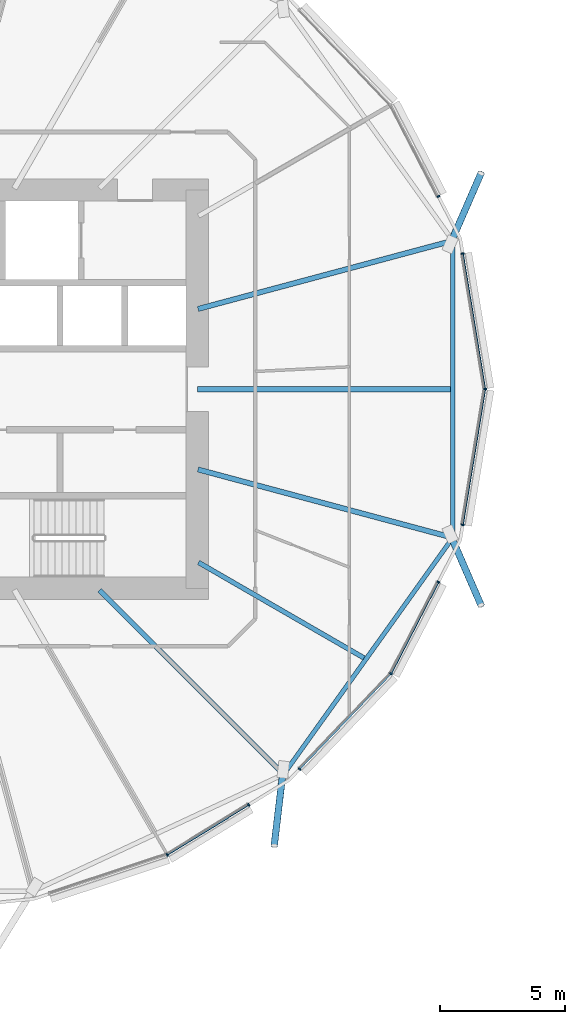
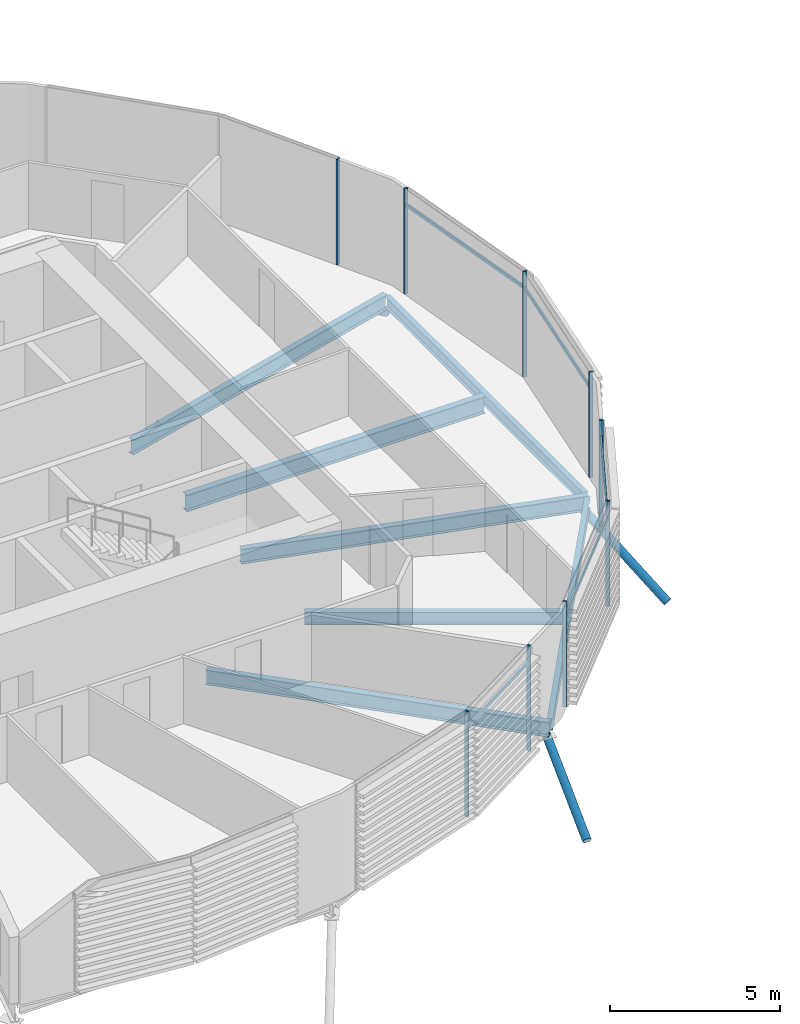
# One storey, part 7 of 38: 17 members, 7 beams, 1 element without a shape of its own.
"""IFC4 building model written with IfcOpenShell, lengths in metres."""

from ifc_helpers import new_model, si_unit, direction, frame, origin, origin_2d, place, context, subcontext, project, spatial, rectangle, hollow_circle, i_section, extrude, clip, halfspace, material, material_profile, profile_set, type_object, element, aggregate, save


model = new_model("IFC4")

# Units and contexts
model_context = context("Model", 3, precision=1e-05, world=origin(), true_north=direction((0.0, 1.0)))
body_context = subcontext(model_context, "Body", "Model", "MODEL_VIEW")
ifc_project = project(units=[si_unit("LENGTHUNIT", "METRE"), si_unit("AREAUNIT", "SQUARE_METRE"), si_unit("VOLUMEUNIT", "CUBIC_METRE"), si_unit("PLANEANGLEUNIT", "RADIAN"), si_unit("MASSUNIT", "GRAM", prefix="KILO")], contexts=[model_context])

# Site, building, storey
site_placement = place(None, origin())
site = spatial("IfcSite", under=ifc_project, at=site_placement, CompositionType="ELEMENT")
building_placement = place(site_placement, origin())
building = spatial("IfcBuilding", under=site, at=building_placement, Name="Rimbun Link Towers", CompositionType="ELEMENT")
storey_placement = place(building_placement, frame((0.0, 0.0, 71.800048828125)))
storey = spatial("IfcBuildingStorey", under=building, at=storey_placement, Name="L17", CompositionType="ELEMENT", Elevation=71.800048828125)

# Curtain wall, members
ifc_material_1 = material(Name="Aluminium 6063-T6 and low-iron glass", Category="aluminium")
curtain_wall_type = type_object("IfcCurtainWallType", Name="CW1 unitised vision wall", PredefinedType="NOTDEFINED", material=ifc_material_1)
curtain_wall_placement = place(storey_placement, origin())
curtain_wall = element("IfcCurtainWall", 1, at=curtain_wall_placement, inside=storey, type_object=curtain_wall_type, Name="CW1 L17 T1", PredefinedType="NOTDEFINED")
ifc_material_2 = material(Name="Aluminium 6063-T6", Category="aluminium")
ifc_material_profile_1 = material_profile(ifc_material_2, rectangle(XDim=0.1201171875, YDim=0.06005859375, at=origin_2d()), Name="MULLION 60X120")
ifc_profile_set_1 = profile_set([ifc_material_profile_1], Name="Aluminium 6063-T6")
member_type_1 = type_object("IfcMemberType", Name="CW1 mullion 60X120", PredefinedType="MULLION", material=ifc_profile_set_1)
member_1_placement = place(storey_placement, frame((-9.090576171875, 5.447265625, 0.0), z_axis=(0.0, 0.0, 1.0), x_axis=(0.986748097792, 0.162259642251, 0.0)))
member_1 = element("IfcMember", 2, at=member_1_placement, type_object=member_type_1, Name="CW1 mullion", PredefinedType="MULLION", context=body_context, shape_type="SweptSolid", body=[
    extrude(rectangle(XDim=0.1201171875, YDim=0.06005859375, at=origin_2d()), origin(), (0.0, 0.0, 1.0), 3.800048828125),
])
member_2_placement = place(storey_placement, frame((-8.19580078125, 0.0, 0.0), z_axis=(0.0, 0.0, 1.0), x_axis=(1.0, 0.0, 0.0)))
member_2 = element("IfcMember", 3, at=member_2_placement, type_object=member_type_1, Name="CW1 mullion", PredefinedType="MULLION", context=body_context, shape_type="SweptSolid", body=[
    extrude(rectangle(XDim=0.1201171875, YDim=0.06005859375, at=origin_2d()), origin(), (0.0, 0.0, 1.0), 3.800048828125),
])
member_3_placement = place(storey_placement, frame((-10.067138671875, 7.74462890625, 0.0), z_axis=(0.0, 0.0, 1.0), x_axis=(0.888148629228, 0.45955632125, 0.0)))
member_3 = element("IfcMember", 4, at=member_3_placement, type_object=member_type_1, Name="CW1 mullion", PredefinedType="MULLION", context=body_context, shape_type="SweptSolid", body=[
    extrude(rectangle(XDim=0.1201171875, YDim=0.06005859375, at=origin_2d()), origin(), (0.0, 0.0, 1.0), 3.800048828125),
])
member_4_placement = place(storey_placement, frame((-20.959716796875, -18.699951171875, 0.0), z_axis=(0.0, 0.0, 1.0), x_axis=(0.421698890318, -0.906735929532, 0.0)))
member_4 = element("IfcMember", 5, at=member_4_placement, type_object=member_type_1, Name="CW1 mullion", PredefinedType="MULLION", context=body_context, shape_type="SweptSolid", body=[
    extrude(rectangle(XDim=0.1201171875, YDim=0.06005859375, at=origin_2d()), origin(), (0.0, 0.0, 1.0), 3.800048828125),
])
member_5_placement = place(storey_placement, frame((-17.690185546875, -16.69287109375, 0.0), z_axis=(0.0, 0.0, 1.0), x_axis=(0.523239240316, -0.852185835011, 0.0)))
member_5 = element("IfcMember", 6, at=member_5_placement, type_object=member_type_1, Name="CW1 mullion", PredefinedType="MULLION", context=body_context, shape_type="SweptSolid", body=[
    extrude(rectangle(XDim=0.1201171875, YDim=0.06005859375, at=origin_2d()), origin(), (0.0, 0.0, 1.0), 3.800048828125),
])
member_6_placement = place(storey_placement, frame((-11.972412109375, -11.42529296875, 0.0), z_axis=(0.0, 0.0, 1.0), x_axis=(0.813351214919, -0.581772980801, 0.0)))
member_6 = element("IfcMember", 7, at=member_6_placement, type_object=member_type_1, Name="CW1 mullion", PredefinedType="MULLION", context=body_context, shape_type="SweptSolid", body=[
    extrude(rectangle(XDim=0.1201171875, YDim=0.06005859375, at=origin_2d()), origin(), (0.0, 0.0, 1.0), 3.800048828125),
])
member_7_placement = place(storey_placement, frame((-15.643798828125, -15.256103515625, 0.0), z_axis=(0.0, 0.0, 1.0), x_axis=(0.721854427226, -0.692044930546, 0.0)))
member_7 = element("IfcMember", 8, at=member_7_placement, type_object=member_type_1, Name="CW1 mullion", PredefinedType="MULLION", context=body_context, shape_type="SweptSolid", body=[
    extrude(rectangle(XDim=0.1201171875, YDim=0.06005859375, at=origin_2d()), origin(), (0.0, 0.0, 1.0), 3.800048828125),
])
member_8_placement = place(storey_placement, frame((-10.067138671875, -7.74462890625, 0.0), z_axis=(0.0, 0.0, 1.0), x_axis=(0.888148629228, -0.45955632125, 0.0)))
member_8 = element("IfcMember", 9, at=member_8_placement, type_object=member_type_1, Name="CW1 mullion", PredefinedType="MULLION", context=body_context, shape_type="SweptSolid", body=[
    extrude(rectangle(XDim=0.1201171875, YDim=0.06005859375, at=origin_2d()), origin(), (0.0, 0.0, 1.0), 3.800048828125),
])
member_9_placement = place(storey_placement, frame((-9.090576171875, -5.447265625, 0.0), z_axis=(0.0, 0.0, 1.0), x_axis=(0.986748097792, -0.162259642251, 0.0)))
member_9 = element("IfcMember", 10, at=member_9_placement, type_object=member_type_1, Name="CW1 mullion", PredefinedType="MULLION", context=body_context, shape_type="SweptSolid", body=[
    extrude(rectangle(XDim=0.1201171875, YDim=0.06005859375, at=origin_2d()), origin(), (0.0, 0.0, 1.0), 3.800048828125),
])
ifc_material_3 = material(Name="Aluminium 6063-T6", Category="aluminium")
ifc_material_profile_2 = material_profile(ifc_material_3, rectangle(XDim=0.06005859375, YDim=0.1201171875, at=origin_2d()), Name="TRANSOM 60X120")
ifc_profile_set_2 = profile_set([ifc_material_profile_2], Name="Aluminium 6063-T6")
member_type_2 = type_object("IfcMemberType", Name="CW1 transom 60X120", PredefinedType="USERDEFINED", material=ifc_profile_set_2)
member_10_placement = place(storey_placement, frame((-9.087646484375, 5.41748046875, 3.199951171875), z_axis=(0.162234082271, -0.986752300504, 0.0), x_axis=(0.986752300504, 0.162234082271, 0.0)))
member_10 = element("IfcMember", 11, at=member_10_placement, type_object=member_type_2, Name="CW1 transom", ObjectType="TRANSOM", PredefinedType="USERDEFINED", context=body_context, shape_type="SweptSolid", body=[
    extrude(rectangle(XDim=0.06005859375, YDim=0.1201171875, at=origin_2d()), origin(), (0.0, 0.0, 1.0), 5.45068359375),
])
member_11_placement = place(storey_placement, frame((-17.716796875, -16.706787109375, 3.199951171875), z_axis=(-0.852184905229, -0.523240754624, 0.0), x_axis=(0.523240754624, -0.852184905229, 0.0)))
member_11 = element("IfcMember", 12, at=member_11_placement, type_object=member_type_2, Name="CW1 transom", ObjectType="TRANSOM", PredefinedType="USERDEFINED", context=body_context, shape_type="SweptSolid", body=[
    extrude(rectangle(XDim=0.06005859375, YDim=0.1201171875, at=origin_2d()), origin(), (0.0, 0.0, 1.0), 3.76953125),
])
member_12_placement = place(storey_placement, frame((-12.0, -11.452392578125, 3.199951171875), z_axis=(-0.692056205714, -0.721843617505, 0.0), x_axis=(0.721843617505, -0.692056205714, 0.0)))
member_12 = element("IfcMember", 13, at=member_12_placement, type_object=member_type_2, Name="CW1 transom", ObjectType="TRANSOM", PredefinedType="USERDEFINED", context=body_context, shape_type="SweptSolid", body=[
    extrude(rectangle(XDim=0.06005859375, YDim=0.1201171875, at=origin_2d()), origin(), (0.0, 0.0, 1.0), 5.2373046875),
])
member_13_placement = place(storey_placement, frame((-10.08251953125, -7.770263671875, 3.199951171875), z_axis=(-0.45955652042, -0.888148526171, 0.0), x_axis=(0.888148526171, -0.45955652042, 0.0)))
member_13 = element("IfcMember", 14, at=member_13_placement, type_object=member_type_2, Name="CW1 transom", ObjectType="TRANSOM", PredefinedType="USERDEFINED", context=body_context, shape_type="SweptSolid", body=[
    extrude(rectangle(XDim=0.06005859375, YDim=0.1201171875, at=origin_2d()), origin(), (0.0, 0.0, 1.0), 4.076416015625),
])
member_14_placement = place(storey_placement, frame((-8.203369140625, -0.0390625, 3.199951171875), z_axis=(-0.162234082271, -0.986752300504, 0.0), x_axis=(0.986752300504, -0.162234082271, 0.0)))
member_14 = element("IfcMember", 15, at=member_14_placement, type_object=member_type_2, Name="CW1 transom", ObjectType="TRANSOM", PredefinedType="USERDEFINED", context=body_context, shape_type="SweptSolid", body=[
    extrude(rectangle(XDim=0.06005859375, YDim=0.1201171875, at=origin_2d()), origin(), (0.0, 0.0, 1.0), 5.45068359375),
])
aggregate(curtain_wall, [member_1, member_2, member_3, member_4, member_5, member_6, member_7, member_8, member_9, member_10, member_11, member_12, member_13, member_14])

# Members
ifc_material_4 = material(Name="Steel S355J2H", Category="steel")
ifc_material_profile_3 = material_profile(ifc_material_4, hollow_circle(Radius=0.136474609375, WallThickness=0.012451171875, at=origin_2d()), Name="CHS 273x12.5")
ifc_profile_set_3 = profile_set([ifc_material_profile_3], Name="Steel S355J2H")
member_type_3 = type_object("IfcMemberType", Name="Floor edge link CHS 273x12.5", PredefinedType="BRACE", material=ifc_profile_set_3)
member_15_placement = place(storey_placement, frame((-9.542724609375, 5.950439453125, -0.80712890625), z_axis=(0.332755123406, 0.764311870722, -0.552359839345), x_axis=(-0.916874478049, 0.399175639916, 0.0)))
element("IfcMember", 16, at=member_15_placement, inside=storey, type_object=member_type_3, Name="Floor edge link T1 L17 01", PredefinedType="BRACE", context=body_context, shape_type="Clipping", body=[
    clip(extrude(hollow_circle(Radius=0.136474609375, WallThickness=0.012451171875, at=origin_2d()), frame((0.0, 0.0, -0.43017578125)), (0.0, 0.0, 1.0), 4.003173828125), halfspace(frame((0.0, 0.0, -0.20263671875), z_axis=(0.0, 0.833605786855, -0.552359839345)), False)),
])
member_16_placement = place(storey_placement, frame((-16.319580078125, -15.430419921875, -0.809814453125), z_axis=(-0.100911375777, -0.847741014291, -0.520722639154), x_axis=(0.992989672948, -0.118201139665, 0.0)))
element("IfcMember", 17, at=member_16_placement, inside=storey, type_object=member_type_3, Name="Floor edge link T1 L17 21", PredefinedType="BRACE", context=body_context, shape_type="Clipping", body=[
    clip(extrude(hollow_circle(Radius=0.136474609375, WallThickness=0.012451171875, at=origin_2d()), frame((0.0, 0.0, -0.466796875)), (0.0, 0.0, 1.0), 3.89501953125), halfspace(frame((0.0, 0.0, -0.22021484375), z_axis=(0.0, 0.853725912147, -0.520722639154)), False)),
])
member_17_placement = place(storey_placement, frame((-9.542724609375, -5.950439453125, -0.80712890625), z_axis=(0.332755123406, -0.764311870722, -0.552359839345), x_axis=(0.916874478049, 0.399175639916, 0.0)))
element("IfcMember", 18, at=member_17_placement, inside=storey, type_object=member_type_3, Name="Floor edge link T1 L17 23", PredefinedType="BRACE", context=body_context, shape_type="Clipping", body=[
    clip(extrude(hollow_circle(Radius=0.136474609375, WallThickness=0.012451171875, at=origin_2d()), frame((0.0, 0.0, -0.43017578125)), (0.0, 0.0, 1.0), 4.003173828125), halfspace(frame((0.0, 0.0, -0.20263671875), z_axis=(0.0, 0.833605786855, -0.552359839345)), False)),
])

# Beams
ifc_material_5 = material(Name="Steel S355J2", Category="steel")
ifc_material_profile_4 = material_profile(ifc_material_5, i_section(OverallWidth=0.177978515625, OverallDepth=0.406494140625, WebThickness=0.0078125, FlangeThickness=0.0126953125, at=origin_2d()), Name="UB 406x178x60")
ifc_profile_set_4 = profile_set([ifc_material_profile_4], Name="Steel S355J2")
beam_type_1 = type_object("IfcBeamType", Name="UB 406x178x60", PredefinedType="BEAM", material=ifc_profile_set_4)
beam_1_placement = place(storey_placement, frame((-16.221923828125, -15.378662109375, -0.36328125), z_axis=(0.581367171952, 0.813641328459, 0.0), x_axis=(-0.813641328459, 0.581367171952, 0.0)))
element("IfcBeam", 19, at=beam_1_placement, inside=storey, type_object=beam_type_1, Name="Edge beam T1 L17 21-23", PredefinedType="BEAM", context=body_context, shape_type="SweptSolid", body=[
    extrude(i_section(OverallWidth=0.177978515625, OverallDepth=0.406494140625, WebThickness=0.0078125, FlangeThickness=0.0126953125, at=origin_2d()), origin(), (0.0, 0.0, 1.0), 11.458984375),
])
beam_2_placement = place(storey_placement, frame((-9.494384765625, -5.85400390625, -0.36328125), z_axis=(0.0, 1.0, 0.0), x_axis=(-1.0, 0.0, 0.0)))
element("IfcBeam", 20, at=beam_2_placement, inside=storey, type_object=beam_type_1, Name="Edge beam T1 L17 23-01", PredefinedType="BEAM", context=body_context, shape_type="SweptSolid", body=[
    extrude(i_section(OverallWidth=0.177978515625, OverallDepth=0.406494140625, WebThickness=0.0078125, FlangeThickness=0.0126953125, at=origin_2d()), origin(), (0.0, 0.0, 1.0), 11.7080078125),
])
ifc_material_6 = material(Name="Steel S355J2", Category="steel")
ifc_material_profile_5 = material_profile(ifc_material_6, i_section(OverallWidth=0.18994140625, OverallDepth=0.453369140625, WebThickness=0.008544921875, FlangeThickness=0.0126953125, at=origin_2d()), Name="UB 457x191x67")
ifc_profile_set_5 = profile_set([ifc_material_profile_5], Name="Steel S355J2")
beam_type_2 = type_object("IfcBeamType", Name="UB 457x191x67", PredefinedType="BEAM", material=ifc_profile_set_5)
beam_3_placement = place(storey_placement, frame((-19.70166015625, -6.9560546875, -0.38671875), z_axis=(0.866012339475, -0.500022627366, 0.0), x_axis=(0.500022627366, 0.866012339475, 0.0)))
element("IfcBeam", 21, at=beam_3_placement, inside=storey, type_object=beam_type_2, Name="Radial beam T1 L17 22", PredefinedType="BEAM", context=body_context, shape_type="SweptSolid", body=[
    extrude(i_section(OverallWidth=0.18994140625, OverallDepth=0.453369140625, WebThickness=0.008544921875, FlangeThickness=0.0126953125, at=origin_2d()), origin(), (0.0, 0.0, 1.0), 7.674072265625),
])
ifc_material_7 = material(Name="Steel S355J2", Category="steel")
ifc_material_profile_6 = material_profile(ifc_material_7, i_section(OverallWidth=0.209228515625, OverallDepth=0.533203125, WebThickness=0.010009765625, FlangeThickness=0.015625, at=origin_2d()), Name="UB 533x210x92")
ifc_profile_set_6 = profile_set([ifc_material_profile_6], Name="Steel S355J2")
beam_type_3 = type_object("IfcBeamType", Name="UB 533x210x92", PredefinedType="BEAM", material=ifc_profile_set_6)
beam_4_placement = place(storey_placement, frame((-19.721923828125, 3.222900390625, -0.426513671875), z_axis=(0.96592540877, 0.2588206033, 0.0), x_axis=(-0.2588206033, 0.96592540877, 0.0)))
element("IfcBeam", 22, at=beam_4_placement, inside=storey, type_object=beam_type_3, Name="Radial beam T1 L17 01", PredefinedType="BEAM", context=body_context, shape_type="SweptSolid", body=[
    extrude(i_section(OverallWidth=0.209228515625, OverallDepth=0.533203125, WebThickness=0.010009765625, FlangeThickness=0.015625, at=origin_2d()), origin(), (0.0, 0.0, 1.0), 10.58837890625),
])
beam_5_placement = place(storey_placement, frame((-23.67529296875, -8.07470703125, -0.426513671875), z_axis=(0.707106781187, -0.707106781187, 0.0), x_axis=(0.707106781187, 0.707106781187, 0.0)))
element("IfcBeam", 23, at=beam_5_placement, inside=storey, type_object=beam_type_3, Name="Radial beam T1 L17 21", PredefinedType="BEAM", context=body_context, shape_type="SweptSolid", body=[
    extrude(i_section(OverallWidth=0.209228515625, OverallDepth=0.533203125, WebThickness=0.010009765625, FlangeThickness=0.015625, at=origin_2d()), origin(), (0.0, 0.0, 1.0), 10.45263671875),
])
beam_6_placement = place(storey_placement, frame((-19.721923828125, -3.222900390625, -0.426513671875), z_axis=(0.96592540877, -0.2588206033, 0.0), x_axis=(0.2588206033, 0.96592540877, 0.0)))
element("IfcBeam", 24, at=beam_6_placement, inside=storey, type_object=beam_type_3, Name="Radial beam T1 L17 23", PredefinedType="BEAM", context=body_context, shape_type="SweptSolid", body=[
    extrude(i_section(OverallWidth=0.209228515625, OverallDepth=0.533203125, WebThickness=0.010009765625, FlangeThickness=0.015625, at=origin_2d()), origin(), (0.0, 0.0, 1.0), 10.58837890625),
])
ifc_material_8 = material(Name="Steel S355J2", Category="steel")
ifc_material_profile_7 = material_profile(ifc_material_8, i_section(OverallWidth=0.2275390625, OverallDepth=0.6025390625, WebThickness=0.010498046875, FlangeThickness=0.014892578125, at=origin_2d()), Name="UB 610x229x101")
ifc_profile_set_7 = profile_set([ifc_material_profile_7], Name="Steel S355J2")
beam_type_4 = type_object("IfcBeamType", Name="UB 610x229x101", PredefinedType="BEAM", material=ifc_profile_set_7)
beam_7_placement = place(storey_placement, frame((-19.7490234375, 0.0, -0.46142578125), z_axis=(1.0, 0.0, 0.0), x_axis=(0.0, 1.0, 0.0)))
element("IfcBeam", 25, at=beam_7_placement, inside=storey, type_object=beam_type_4, Name="Radial beam T1 L17 00", PredefinedType="BEAM", context=body_context, shape_type="SweptSolid", body=[
    extrude(i_section(OverallWidth=0.2275390625, OverallDepth=0.6025390625, WebThickness=0.010498046875, FlangeThickness=0.014892578125, at=origin_2d()), origin(), (0.0, 0.0, 1.0), 10.16455078125),
])

save(model, "model.ifc")
